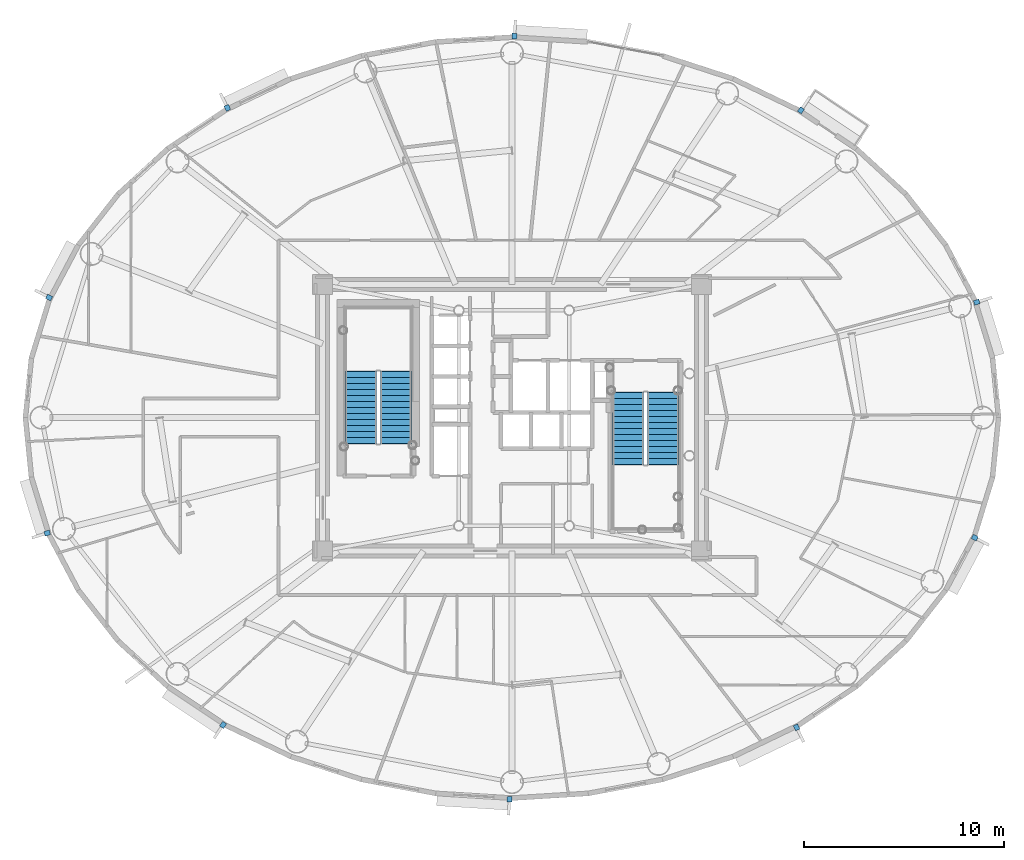
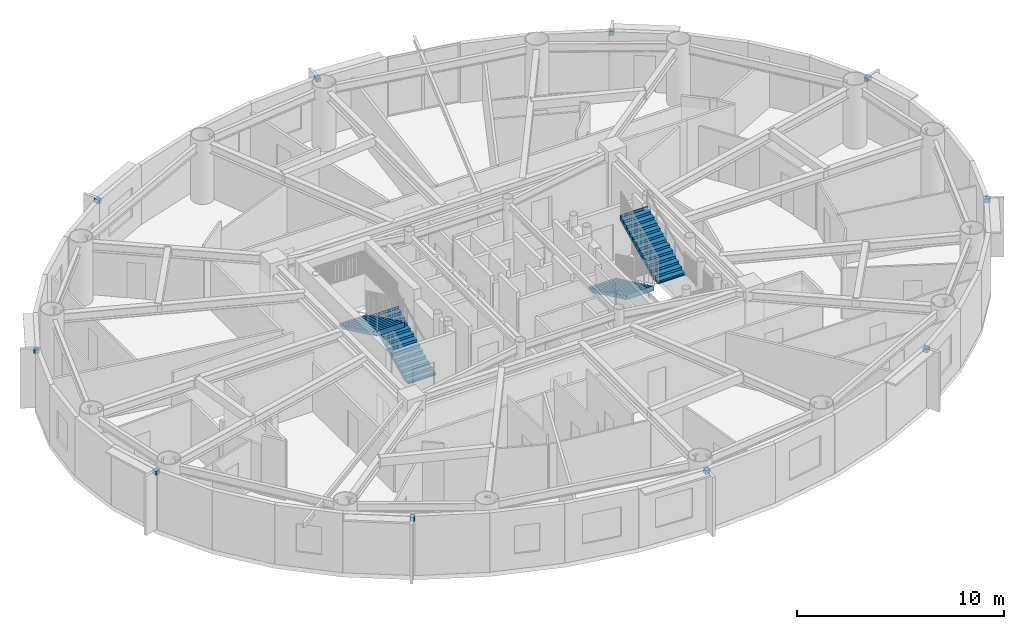
# One storey, part 14 of 21: 10 discrete accessories, 4 stair flights, 2 elements without a shape of their own.
"""IFC4 building model written with IfcOpenShell, lengths in metres."""

from ifc_helpers import new_model, si_unit, direction, frame, origin, origin_2d, place, context, subcontext, project, spatial, polyline, rectangle, outline, extrude, source, transform, mapped, material, type_object, element, aggregate, save


model = new_model("IFC4")

# Units and contexts
model_context = context("Model", 3, precision=1e-05, world=origin(), true_north=direction((0.0, 1.0)))
body_context = subcontext(model_context, "Body", "Model", "MODEL_VIEW")
ifc_project = project(units=[si_unit("LENGTHUNIT", "METRE"), si_unit("AREAUNIT", "SQUARE_METRE"), si_unit("VOLUMEUNIT", "CUBIC_METRE"), si_unit("PLANEANGLEUNIT", "RADIAN"), si_unit("MASSUNIT", "GRAM", prefix="KILO")], contexts=[model_context])

# Site, building, storey
site_placement = place(None, origin())
site = spatial("IfcSite", under=ifc_project, at=site_placement, CompositionType="ELEMENT")
building_placement = place(site_placement, origin())
building = spatial("IfcBuilding", under=site, at=building_placement, Name="Linh Dai School and Residence Tower", CompositionType="ELEMENT")
storey_placement = place(building_placement, frame((0.0, 0.0, 229.050048828125)))
storey = spatial("IfcBuildingStorey", under=building, at=storey_placement, Name="L56", CompositionType="ELEMENT", Elevation=229.050048828125)

# Stair, stair flights
ifc_material_1 = material(Name="Concrete B45 (C35/45)", Category="concrete")
stair_type = type_object("IfcStairType", Name="ST-DOG-1550-R1442", PredefinedType="HALF_TURN_STAIR", material=ifc_material_1)
stair_1_placement = place(storey_placement, origin())
stair_1 = element("IfcStair", 1, at=stair_1_placement, inside=storey, type_object=stair_type, Name="L56 Core Smokeproof Exit Stair ST1", PredefinedType="HALF_TURN_STAIR")
stair_flight_type = type_object("IfcStairFlightType", Name="STF-STR-1550-R1442", PredefinedType="STRAIGHT", material=ifc_material_1)
shared_shape_1 = source(origin(), body_context, "Body", "SweptSolid", [
    extrude(outline(polyline([(-0.02490234375, 0.0), (-0.02490234375, 0.06005859375), (0.0, 0.06005859375), (0.0, 0.144287109375), (0.300048828125, 0.144287109375), (0.300048828125, 0.28857421875), (0.60009765625, 0.28857421875), (0.60009765625, 0.4326171875), (0.89990234375, 0.4326171875), (0.89990234375, 0.576904296875), (1.199951171875, 0.576904296875), (1.199951171875, 0.72119140625), (1.5, 0.72119140625), (1.5, 0.865478515625), (1.800048828125, 0.865478515625), (1.800048828125, 1.009521484375), (2.10009765625, 1.009521484375), (2.10009765625, 1.15380859375), (2.39990234375, 1.15380859375), (2.39990234375, 1.298095703125), (2.699951171875, 1.298095703125), (2.699951171875, 1.4423828125), (3.0, 1.4423828125), (3.0, 1.58642578125), (3.300048828125, 1.58642578125), (3.300048828125, 1.730712890625), (3.60009765625, 1.730712890625), (3.60009765625, 1.875), (3.625, 1.875), (3.625, 1.564453125), (3.60009765625, 1.564453125), (0.345947265625, 0.0), (-0.02490234375, 0.0)])), frame((0.0, 0.77490234375, 0.0), z_axis=(0.0, -1.0, 0.0), x_axis=(1.0, 0.0, 0.0)), (0.0, 0.0, 1.0), 1.550048828125),
])
stair_flight_1_placement = place(storey_placement, frame((30.205078125, 25.699951171875, 0.0), z_axis=(0.0, 0.0, 1.0), x_axis=(0.0, 1.0, 0.0)))
stair_flight_1 = element("IfcStairFlight", 2, at=stair_flight_1_placement, type_object=stair_flight_type, Name="ST1 flight 1", NumberOfRisers=13, NumberOfTreads=12, PredefinedType="STRAIGHT", RiserHeight=0.144230769, TreadLength=0.3, context=body_context, shape_type="MappedRepresentation", body=[
    mapped(shared_shape_1, transform((0.0, 0.0, 0.0), x_axis=(1.0, 0.0, 0.0), y_axis=(0.0, 1.0, 0.0), z_axis=(0.0, 0.0, 1.0), scale=1.0)),
])
stair_flight_2_placement = place(storey_placement, frame((28.455078125, 29.300048828125, 1.875), z_axis=(0.0, 0.0, 1.0), x_axis=(0.0, -1.0, 0.0)))
stair_flight_2 = element("IfcStairFlight", 3, at=stair_flight_2_placement, type_object=stair_flight_type, Name="ST1 flight 2", NumberOfRisers=13, NumberOfTreads=12, PredefinedType="STRAIGHT", RiserHeight=0.144230769, TreadLength=0.3, context=body_context, shape_type="MappedRepresentation", body=[
    mapped(shared_shape_1, transform((0.0, 0.0, 0.0), x_axis=(1.0, 0.0, 0.0), y_axis=(0.0, 1.0, 0.0), z_axis=(0.0, 0.0, 1.0), scale=1.0)),
])
aggregate(stair_1, [stair_flight_1, stair_flight_2])

stair_2_placement = place(storey_placement, origin())
stair_2 = element("IfcStair", 4, at=stair_2_placement, inside=storey, type_object=stair_type, Name="L56 Core Smokeproof Exit Stair ST2", PredefinedType="HALF_TURN_STAIR")
stair_flight_3_placement = place(storey_placement, frame((41.794921875, 28.25, 0.0), z_axis=(0.0, 0.0, 1.0), x_axis=(0.0, -1.0, 0.0)))
stair_flight_3 = element("IfcStairFlight", 5, at=stair_flight_3_placement, type_object=stair_flight_type, Name="ST2 flight 1", NumberOfRisers=13, NumberOfTreads=12, PredefinedType="STRAIGHT", RiserHeight=0.144230769, TreadLength=0.3, context=body_context, shape_type="MappedRepresentation", body=[
    mapped(shared_shape_1, transform((0.0, 0.0, 0.0), x_axis=(1.0, 0.0, 0.0), y_axis=(0.0, 1.0, 0.0), z_axis=(0.0, 0.0, 1.0), scale=1.0)),
])
stair_flight_4_placement = place(storey_placement, frame((43.544921875, 24.64990234375, 1.875), z_axis=(0.0, 0.0, 1.0), x_axis=(0.0, 1.0, 0.0)))
stair_flight_4 = element("IfcStairFlight", 6, at=stair_flight_4_placement, type_object=stair_flight_type, Name="ST2 flight 2", NumberOfRisers=13, NumberOfTreads=12, PredefinedType="STRAIGHT", RiserHeight=0.144230769, TreadLength=0.3, context=body_context, shape_type="MappedRepresentation", body=[
    mapped(shared_shape_1, transform((0.0, 0.0, 0.0), x_axis=(1.0, 0.0, 0.0), y_axis=(0.0, 1.0, 0.0), z_axis=(0.0, 0.0, 1.0), scale=1.0)),
])
aggregate(stair_2, [stair_flight_3, stair_flight_4])

# Discrete accessories
ifc_material_2 = material(Name="Structural Steel S355JR", Category="steel")
discrete_accessory_type = type_object("IfcDiscreteAccessoryType", Name="ACC-BRK-S355", PredefinedType="BRACKET", material=ifc_material_2)
shared_shape_2 = source(origin(), body_context, "Body", "SweptSolid", [
    extrude(rectangle(XDim=0.280029296875, YDim=0.239990234375, at=origin_2d()), origin(), (0.0, 0.0, 1.0), 0.219970703125),
])
for number, where, z_axis, x_axis, name in (
    (7, (59.182861328125, 32.7587890625, 3.25), (0.0, 0.0, 1.0), (0.956064190994, 0.2931574026, 0.0), "L56 Facade Frame Anchor Bracket 02"),
    (8, (50.413330078125, 42.330810546875, 3.25), (0.0, 0.0, 1.0), (0.555887222025, 0.831257719597, 0.0), "L56 Facade Frame Anchor Bracket 06"),
    (9, (36.12353515625, 46.032470703125, 3.25), (0.0, 0.0, 1.0), (0.061504437922, 0.998106809974, 0.0), "L56 Facade Frame Anchor Bracket 10"),
    (10, (21.802001953125, 42.45361328125, 3.25), (0.0, 0.0, 1.0), (-0.432593941973, 0.901588864931, 0.0), "L56 Facade Frame Anchor Bracket 14"),
    (11, (12.912841796875, 32.989990234375, 3.25), (0.0, 0.0, 1.0), (-0.883928950783, 0.467621224891, 0.0), "L56 Facade Frame Anchor Bracket 18"),
    (12, (12.817138671875, 21.2412109375, 3.25), (0.0, 0.0, 1.0), (-0.956064190994, -0.2931574026, 0.0), "L56 Facade Frame Anchor Bracket 22"),
    (13, (21.586669921875, 11.669189453125, 3.25), (0.0, 0.0, 1.0), (-0.555887222025, -0.831257719597, 0.0), "L56 Facade Frame Anchor Bracket 26"),
    (14, (35.87646484375, 7.967529296875, 3.25), (0.0, 0.0, 1.0), (-0.061504437922, -0.998106809974, 0.0), "L56 Facade Frame Anchor Bracket 30"),
    (15, (50.197998046875, 11.54638671875, 3.25), (0.0, 0.0, 1.0), (0.432593941973, -0.901588864931, 0.0), "L56 Facade Frame Anchor Bracket 34"),
    (16, (59.087158203125, 21.010009765625, 3.25), (0.0, 0.0, 1.0), (0.883928950783, -0.467621224891, 0.0), "L56 Facade Frame Anchor Bracket 38"),
):
    element("IfcDiscreteAccessory", number, at=place(storey_placement, frame(where, z_axis=z_axis, x_axis=x_axis)), inside=storey, type_object=discrete_accessory_type, Name=name, PredefinedType="BRACKET", context=body_context, shape_type="MappedRepresentation", body=[
        mapped(shared_shape_2, transform((0.0, 0.0, 0.0), x_axis=(1.0, 0.0, 0.0), y_axis=(0.0, 1.0, 0.0), z_axis=(0.0, 0.0, 1.0), scale=1.0)),
    ])

save(model, "model.ifc")
